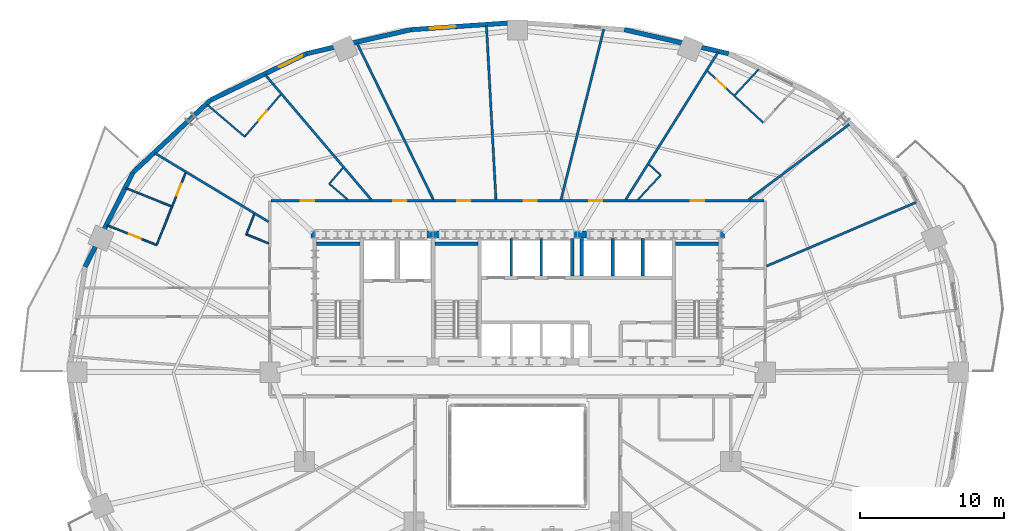
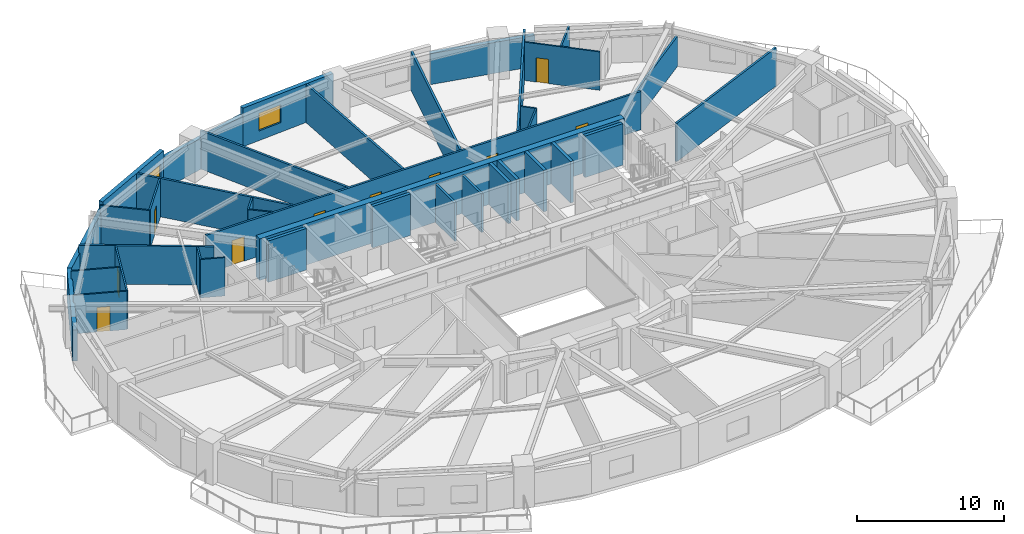
# One storey, part 12 of 17: 38 walls, 10 doors, 2 windows, 12 openings.
"""IFC4 building model written with IfcOpenShell, lengths in metres."""

from ifc_helpers import new_model, si_unit, direction, frame, frame_2d, origin, place, context, subcontext, project, spatial, rectangle, extrude, material, layer, layer_set, type_object, element, fill, save


model = new_model("IFC4")

# Units and contexts
model_context = context("Model", 3, precision=1e-05, world=origin(), true_north=direction((0.0, 1.0)))
body_context = subcontext(model_context, "Body", "Model", "MODEL_VIEW")
ifc_project = project(units=[si_unit("LENGTHUNIT", "METRE"), si_unit("AREAUNIT", "SQUARE_METRE"), si_unit("VOLUMEUNIT", "CUBIC_METRE"), si_unit("PLANEANGLEUNIT", "RADIAN"), si_unit("MASSUNIT", "GRAM", prefix="KILO")], contexts=[model_context])

# Site, building, storey
site_placement = place(None, origin())
site = spatial("IfcSite", under=ifc_project, at=site_placement, CompositionType="ELEMENT")
building_placement = place(site_placement, origin())
building = spatial("IfcBuilding", under=site, at=building_placement, Name="Haldorwick Loom Tower", CompositionType="ELEMENT")
storey_placement = place(building_placement, frame((0.0, 0.0, 37.800048828125)))
storey = spatial("IfcBuildingStorey", under=building, at=storey_placement, Name="L09", CompositionType="ELEMENT", Elevation=37.800048828125)

# Wall
ifc_material_1 = material(Name="Pressed Clay Face Brick and Insulated Masonry Backup Assembly", Category="masonry")
ifc_layer_1 = layer(ifc_material_1, 0.320068359375, Name="Pressed Clay Face Brick and Insulated Masonry Backup Assembly", Category="masonry")
ifc_layer_set_1 = layer_set([ifc_layer_1], Name="Pressed Clay Face Brick and Insulated Masonry Backup Assembly")
wall_type_1 = type_object("IfcWallType", Name="ARC-WL-EXT320", PredefinedType="STANDARD", material=ifc_layer_set_1)
wall_1_placement = place(storey_placement, frame((50.644775390625, 48.11572265625, 0.0), z_axis=(0.0, 0.0, 1.0), x_axis=(-0.974522412345, 0.224290142088, 0.0)))
element("IfcWall", 1, at=wall_1_placement, inside=storey, type_object=wall_type_1, Name="L09 Brick Pier and Spandrel Wall 5", PredefinedType="STANDARD", context=body_context, shape_type="SweptSolid", body=[
    extrude(rectangle(XDim=7.422607421875, YDim=0.320068359375, at=frame_2d((3.71142578125, 0.0))), origin(), (0.0, 0.0, 1.0), 2.56884765625),
])

# Wall, opening, window
wall_2_placement = place(storey_placement, frame((36.0, 50.2900390625, 0.0), z_axis=(0.0, 0.0, 1.0), x_axis=(-0.997645161917, -0.068586667092, 0.0)))
wall_2 = element("IfcWall", 2, at=wall_2_placement, inside=storey, type_object=wall_type_1, Name="L09 Brick Pier and Spandrel Wall 7", PredefinedType="STANDARD", context=body_context, shape_type="SweptSolid", body=[
    extrude(rectangle(XDim=7.428955078125, YDim=0.320068359375, at=frame_2d((3.71435546875, 0.0))), origin(), (0.0, 0.0, 1.0), 3.2099609375),
])
opening_1_placement = place(wall_2_placement, frame((4.30029296875, 0.0, 0.800048828125)))
opening_1 = element("IfcOpeningElement", 3, at=opening_1_placement, cuts=wall_2, Name="Opening W-01", PredefinedType="OPENING", context=body_context, shape_type="SweptSolid", body=[
    extrude(rectangle(XDim=1.800048828125, YDim=1.47998046875, at=frame_2d((0.89990234375, 0.739990234375))), frame((0.0, 0.169921875, 0.0), z_axis=(0.0, -1.0, 0.0), x_axis=(1.0, 0.0, 0.0)), (0.0, 0.0, 1.0), 0.340087890625),
])
ifc_material_2 = material(Name="Triple-Glazed Low-E Argon Insulated Glazing Unit", Category="glass")
window_type = type_object("IfcWindowType", Name="ARC-WIN-W180", PartitioningType="SINGLE_PANEL", PredefinedType="WINDOW", material=ifc_material_2)
window_1_placement = place(opening_1_placement, origin())
window_1 = element("IfcWindow", 4, at=window_1_placement, inside=storey, type_object=window_type, Name="L09 Deep-Set Zone 7A Window 7", OverallHeight=1.47998046875, OverallWidth=1.800048828125, PartitioningType="SINGLE_PANEL", PredefinedType="WINDOW", context=body_context, shape_type="SweptSolid", body=[
    extrude(rectangle(XDim=1.800048828125, YDim=1.47998046875, at=frame_2d((0.89990234375, 0.739990234375))), frame((0.0, 0.030029296875, 0.0), z_axis=(0.0, -1.0, 0.0), x_axis=(1.0, 0.0, 0.0)), (0.0, 0.0, 1.0), 0.06005859375),
])
fill(opening_1, window_1)

# Wall
wall_3_placement = place(storey_placement, frame((28.588623046875, 49.780517578125, 0.0), z_axis=(0.0, 0.0, 1.0), x_axis=(-0.974522412345, -0.224290142088, 0.0)))
element("IfcWall", 5, at=wall_3_placement, inside=storey, type_object=wall_type_1, Name="L09 Brick Pier and Spandrel Wall 8", PredefinedType="STANDARD", context=body_context, shape_type="SweptSolid", body=[
    extrude(rectangle(XDim=7.422607421875, YDim=0.320068359375, at=frame_2d((3.71142578125, 0.0))), origin(), (0.0, 0.0, 1.0), 2.56884765625),
])

# Wall, opening, window
wall_4_placement = place(storey_placement, frame((21.355224609375, 48.11572265625, 0.0), z_axis=(0.0, 0.0, 1.0), x_axis=(-0.900295710431, -0.435278800057, 0.0)))
wall_4 = element("IfcWall", 6, at=wall_4_placement, inside=storey, type_object=wall_type_1, Name="L09 Brick Pier and Spandrel Wall 9", PredefinedType="STANDARD", context=body_context, shape_type="SweptSolid", body=[
    extrude(rectangle(XDim=7.39697265625, YDim=0.320068359375, at=frame_2d((3.698486328125, 0.0))), origin(), (0.0, 0.0, 1.0), 3.2099609375),
])
opening_2_placement = place(wall_4_placement, frame((0.340087890625, 0.0, 0.800048828125)))
opening_2 = element("IfcOpeningElement", 7, at=opening_2_placement, cuts=wall_4, Name="Opening W-01", PredefinedType="OPENING", context=body_context, shape_type="SweptSolid", body=[
    extrude(rectangle(XDim=1.800048828125, YDim=1.47998046875, at=frame_2d((0.89990234375, 0.739990234375))), frame((0.0, 0.169921875, 0.0), z_axis=(0.0, -1.0, 0.0), x_axis=(1.0, 0.0, 0.0)), (0.0, 0.0, 1.0), 0.340087890625),
])
window_2_placement = place(opening_2_placement, origin())
window_2 = element("IfcWindow", 8, at=window_2_placement, inside=storey, type_object=window_type, Name="L09 Deep-Set Zone 7A Window 9", OverallHeight=1.47998046875, OverallWidth=1.800048828125, PartitioningType="SINGLE_PANEL", PredefinedType="WINDOW", context=body_context, shape_type="SweptSolid", body=[
    extrude(rectangle(XDim=1.800048828125, YDim=1.47998046875, at=frame_2d((0.89990234375, 0.739990234375))), frame((0.0, 0.030029296875, 0.0), z_axis=(0.0, -1.0, 0.0), x_axis=(1.0, 0.0, 0.0)), (0.0, 0.0, 1.0), 0.06005859375),
])
fill(opening_2, window_2)

# Walls
for number, where, z_axis, x_axis, name in (
    (9, (14.69580078125, 44.89599609375, 0.0), (0.0, 0.0, 1.0), (-0.73176101237, -0.681561311091, 0.0), "L09 Brick Pier and Spandrel Wall 10"),
    (10, (9.311279296875, 39.880859375, 0.0), (0.0, 0.0, 1.0), (-0.452950855928, -0.891535485617, 0.0), "L09 Brick Pier and Spandrel Wall 11"),
):
    element("IfcWall", number, at=place(storey_placement, frame(where, z_axis=z_axis, x_axis=x_axis)), inside=storey, type_object=wall_type_1, Name=name, PredefinedType="STANDARD", context=body_context, shape_type="SweptSolid", body=[
        extrude(rectangle(XDim=7.3583984375, YDim=0.320068359375, at=frame_2d((3.67919921875, 0.0))), origin(), (0.0, 0.0, 1.0), 2.56884765625),
    ])

# Wall, openings, doors
ifc_material_3 = material(Name="Fire-Rated Type X Gypsum Stud Assembly EI 60")
ifc_layer_2 = layer(ifc_material_3, 0.159912109375, Name="Fire-Rated Type X Gypsum Stud Assembly EI 60")
ifc_layer_set_2 = layer_set([ifc_layer_2], Name="Fire-Rated Type X Gypsum Stud Assembly EI 60")
wall_type_2 = type_object("IfcWallType", Name="ARC-WL-FIRE160", PredefinedType="PARTITIONING", material=ifc_layer_set_2)
wall_5_placement = place(storey_placement, frame((18.883056640625, 37.89990234375, 0.0), z_axis=(0.0, 0.0, 1.0), x_axis=(1.0, 0.0, 0.0)))
wall_5 = element("IfcWall", 11, at=wall_5_placement, inside=storey, type_object=wall_type_2, Name="L09 Residential Fire Partition L09-CR-N0", PredefinedType="PARTITIONING", context=body_context, shape_type="SweptSolid", body=[
    extrude(rectangle(XDim=34.23388671875, YDim=0.159912109375, at=frame_2d((17.116943359375, 0.0))), origin(), (0.0, 0.0, 1.0), 3.195068359375),
])
opening_3_placement = place(wall_5_placement, frame((29.120849609375, 0.0, 0.0)))
opening_3 = element("IfcOpeningElement", 12, at=opening_3_placement, cuts=wall_5, Name="Opening D-FL95", PredefinedType="OPENING", context=body_context, shape_type="SweptSolid", body=[
    extrude(rectangle(XDim=0.949951171875, YDim=2.0400390625, at=frame_2d((0.47509765625, 1.02001953125))), frame((0.0, 0.08984375, 0.0), z_axis=(0.0, -1.0, 0.0), x_axis=(1.0, 0.0, 0.0)), (0.0, 0.0, 1.0), 0.179931640625),
])
opening_4_placement = place(wall_5_placement, frame((2.06494140625, 0.0, 0.0)))
opening_4 = element("IfcOpeningElement", 13, at=opening_4_placement, cuts=wall_5, Name="Opening D-FL95", PredefinedType="OPENING", context=body_context, shape_type="SweptSolid", body=[
    extrude(rectangle(XDim=0.949951171875, YDim=2.0400390625, at=frame_2d((0.47509765625, 1.02001953125))), frame((0.0, 0.08984375, 0.0), z_axis=(0.0, -1.0, 0.0), x_axis=(1.0, 0.0, 0.0)), (0.0, 0.0, 1.0), 0.179931640625),
])
opening_5_placement = place(wall_5_placement, frame((22.078125, 0.0, 0.0)))
opening_5 = element("IfcOpeningElement", 14, at=opening_5_placement, cuts=wall_5, Name="Opening D-FD60A", PredefinedType="OPENING", context=body_context, shape_type="SweptSolid", body=[
    extrude(rectangle(XDim=0.89990234375, YDim=2.0, at=frame_2d((0.449951171875, 1.0))), frame((0.0, 0.08984375, 0.0), z_axis=(0.0, -1.0, 0.0), x_axis=(1.0, 0.0, 0.0)), (0.0, 0.0, 1.0), 0.179931640625),
])
opening_6_placement = place(wall_5_placement, frame((17.550537109375, 0.0, 0.0)))
opening_6 = element("IfcOpeningElement", 15, at=opening_6_placement, cuts=wall_5, Name="Opening D-FD60A", PredefinedType="OPENING", context=body_context, shape_type="SweptSolid", body=[
    extrude(rectangle(XDim=0.89990234375, YDim=2.0, at=frame_2d((0.449951171875, 1.0))), frame((0.0, 0.08984375, 0.0), z_axis=(0.0, -1.0, 0.0), x_axis=(1.0, 0.0, 0.0)), (0.0, 0.0, 1.0), 0.179931640625),
])
opening_7_placement = place(wall_5_placement, frame((8.4951171875, 0.0, 0.0)))
opening_7 = element("IfcOpeningElement", 16, at=opening_7_placement, cuts=wall_5, Name="Opening D-FD60A", PredefinedType="OPENING", context=body_context, shape_type="SweptSolid", body=[
    extrude(rectangle(XDim=0.89990234375, YDim=2.0, at=frame_2d((0.449951171875, 1.0))), frame((0.0, 0.08984375, 0.0), z_axis=(0.0, -1.0, 0.0), x_axis=(1.0, 0.0, 0.0)), (0.0, 0.0, 1.0), 0.179931640625),
])
opening_8_placement = place(wall_5_placement, frame((12.912353515625, 0.0, 0.0)))
opening_8 = element("IfcOpeningElement", 17, at=opening_8_placement, cuts=wall_5, Name="Opening D-FD60A", PredefinedType="OPENING", context=body_context, shape_type="SweptSolid", body=[
    extrude(rectangle(XDim=0.89990234375, YDim=2.0, at=frame_2d((0.449951171875, 1.0))), frame((0.0, 0.08984375, 0.0), z_axis=(0.0, -1.0, 0.0), x_axis=(1.0, 0.0, 0.0)), (0.0, 0.0, 1.0), 0.179931640625),
])
ifc_material_4 = material(Name="Hollow Steel Fire Door Assembly", Category="steel")
door_type_1 = type_object("IfcDoorType", Name="ARC-DR-FD60-90", OperationType="NOTDEFINED", PredefinedType="DOOR", material=ifc_material_4)
door_1_placement = place(opening_5_placement, frame((0.89990234375, 0.0, 0.0), z_axis=(0.0, 0.0, 1.0), x_axis=(-1.0, 0.0, 0.0)))
door_1 = element("IfcDoor", 18, at=door_1_placement, inside=storey, type_object=door_type_1, Name="L09 Shared Resident Dining Hall 11 to L09 North Residential Corridor Doo", OperationType="SINGLE_SWING_LEFT", OverallHeight=2.0, OverallWidth=0.89990234375, PredefinedType="DOOR", context=body_context, shape_type="SweptSolid", body=[
    extrude(rectangle(XDim=0.89990234375, YDim=2.0, at=frame_2d((0.449951171875, 1.0))), frame((0.0, 0.02490234375, 0.0), z_axis=(0.0, -1.0, 0.0), x_axis=(1.0, 0.0, 0.0)), (0.0, 0.0, 1.0), 0.050048828125),
])
fill(opening_5, door_1)
door_2_placement = place(opening_6_placement, frame((0.89990234375, 0.0, 0.0), z_axis=(0.0, 0.0, 1.0), x_axis=(-1.0, 0.0, 0.0)))
door_2 = element("IfcDoor", 19, at=door_2_placement, inside=storey, type_object=door_type_1, Name="L09 Shared Resident Dining Hall 12 to L09 North Residential Corridor Doo", OperationType="SINGLE_SWING_RIGHT", OverallHeight=2.0, OverallWidth=0.89990234375, PredefinedType="DOOR", context=body_context, shape_type="SweptSolid", body=[
    extrude(rectangle(XDim=0.89990234375, YDim=2.0, at=frame_2d((0.449951171875, 1.0))), frame((0.0, 0.02490234375, 0.0), z_axis=(0.0, -1.0, 0.0), x_axis=(1.0, 0.0, 0.0)), (0.0, 0.0, 1.0), 0.050048828125),
])
fill(opening_6, door_2)
door_3_placement = place(opening_7_placement, frame((0.89990234375, 0.0, 0.0), z_axis=(0.0, 0.0, 1.0), x_axis=(-1.0, 0.0, 0.0)))
door_3 = element("IfcDoor", 20, at=door_3_placement, inside=storey, type_object=door_type_1, Name="L09 Shared Resident Dining Hall 13 to L09 North Residential Corridor Doo", OperationType="SINGLE_SWING_LEFT", OverallHeight=2.0, OverallWidth=0.89990234375, PredefinedType="DOOR", context=body_context, shape_type="SweptSolid", body=[
    extrude(rectangle(XDim=0.89990234375, YDim=2.0, at=frame_2d((0.449951171875, 1.0))), frame((0.0, 0.02490234375, 0.0), z_axis=(0.0, -1.0, 0.0), x_axis=(1.0, 0.0, 0.0)), (0.0, 0.0, 1.0), 0.050048828125),
])
fill(opening_7, door_3)
door_4_placement = place(opening_8_placement, frame((0.89990234375, 0.0, 0.0), z_axis=(0.0, 0.0, 1.0), x_axis=(-1.0, 0.0, 0.0)))
door_4 = element("IfcDoor", 21, at=door_4_placement, inside=storey, type_object=door_type_1, Name="L09 Shared Resident Dining Hall 14 to L09 North Residential Corridor Doo", OperationType="SINGLE_SWING_RIGHT", OverallHeight=2.0, OverallWidth=0.89990234375, PredefinedType="DOOR", context=body_context, shape_type="SweptSolid", body=[
    extrude(rectangle(XDim=0.89990234375, YDim=2.0, at=frame_2d((0.449951171875, 1.0))), frame((0.0, 0.02490234375, 0.0), z_axis=(0.0, -1.0, 0.0), x_axis=(1.0, 0.0, 0.0)), (0.0, 0.0, 1.0), 0.050048828125),
])
fill(opening_8, door_4)
ifc_material_5 = material(Name="Solid Core Birch Architectural Door")
door_type_2 = type_object("IfcDoorType", Name="ARC-DR-FLAT95", OperationType="NOTDEFINED", PredefinedType="DOOR", material=ifc_material_5)
door_5_placement = place(opening_3_placement, frame((0.949951171875, 0.0, 0.0), z_axis=(0.0, 0.0, 1.0), x_axis=(-1.0, 0.0, 0.0)))
door_5 = element("IfcDoor", 22, at=door_5_placement, inside=storey, type_object=door_type_2, Name="L09 Unit 09E Kitchen and Living Room to L09 North Residential Corridor D", OperationType="SINGLE_SWING_RIGHT", OverallHeight=2.0400390625, OverallWidth=0.949951171875, PredefinedType="DOOR", context=body_context, shape_type="SweptSolid", body=[
    extrude(rectangle(XDim=0.949951171875, YDim=2.0400390625, at=frame_2d((0.47509765625, 1.02001953125))), frame((0.0, 0.02490234375, 0.0), z_axis=(0.0, -1.0, 0.0), x_axis=(1.0, 0.0, 0.0)), (0.0, 0.0, 1.0), 0.050048828125),
])
fill(opening_3, door_5)
door_6_placement = place(opening_4_placement, frame((0.949951171875, 0.0, 0.0), z_axis=(0.0, 0.0, 1.0), x_axis=(-1.0, 0.0, 0.0)))
door_6 = element("IfcDoor", 23, at=door_6_placement, inside=storey, type_object=door_type_2, Name="L09 Unit 09F Kitchen and Studio Living Room to L09 North Residential Cor", OperationType="SINGLE_SWING_RIGHT", OverallHeight=2.0400390625, OverallWidth=0.949951171875, PredefinedType="DOOR", context=body_context, shape_type="SweptSolid", body=[
    extrude(rectangle(XDim=0.949951171875, YDim=2.0400390625, at=frame_2d((0.47509765625, 1.02001953125))), frame((0.0, 0.02490234375, 0.0), z_axis=(0.0, -1.0, 0.0), x_axis=(1.0, 0.0, 0.0)), (0.0, 0.0, 1.0), 0.050048828125),
])
fill(opening_4, door_6)

# Walls
wall_6_placement = place(storey_placement, frame((34.49560546875, 37.98291015625, 0.0), z_axis=(0.0, 0.0, 1.0), x_axis=(-0.054528808972, 0.998512197718, 0.0)))
element("IfcWall", 24, at=wall_6_placement, inside=storey, type_object=wall_type_2, Name="L09 Residential Fire Partition L09-UPN-11", PredefinedType="PARTITIONING", context=body_context, shape_type="SweptSolid", body=[
    extrude(rectangle(XDim=12.111083984375, YDim=0.159912109375, at=frame_2d((6.0556640625, 0.0))), origin(), (0.0, 0.0, 1.0), 3.195068359375),
])
wall_7_placement = place(storey_placement, frame((52.037109375, 37.98291015625, 0.0), z_axis=(0.0, 0.0, 1.0), x_axis=(0.801076774435, 0.598561610413, 0.0)))
element("IfcWall", 25, at=wall_7_placement, inside=storey, type_object=wall_type_2, Name="L09 Suite Split Wall", PredefinedType="PARTITIONING", context=body_context, shape_type="SweptSolid", body=[
    extrude(rectangle(XDim=8.723388671875, YDim=0.159912109375, at=frame_2d((4.36181640625, 0.0))), origin(), (0.0, 0.0, 1.0), 2.489990234375),
])
wall_8_placement = place(storey_placement, frame((18.717041015625, 36.43798828125, 0.0), z_axis=(0.0, 0.0, 1.0), x_axis=(-0.856005402243, 0.516966876435, 0.0)))
element("IfcWall", 26, at=wall_8_placement, inside=storey, type_object=wall_type_2, Name="L09 Suite Split Wall", PredefinedType="PARTITIONING", context=body_context, shape_type="SweptSolid", body=[
    extrude(rectangle(XDim=9.218017578125, YDim=0.159912109375, at=frame_2d((4.60888671875, 0.0))), origin(), (0.0, 0.0, 1.0), 3.195068359375),
])
wall_9_placement = place(storey_placement, frame((43.50732421875, 37.98291015625, 0.0), z_axis=(0.0, 0.0, 1.0), x_axis=(0.530907280122, 0.847429914455, 0.0)))
element("IfcWall", 27, at=wall_9_placement, inside=storey, type_object=wall_type_2, Name="L09 Suite Split Wall", PredefinedType="PARTITIONING", context=body_context, shape_type="SweptSolid", body=[
    extrude(rectangle(XDim=12.07568359375, YDim=0.159912109375, at=frame_2d((6.037841796875, 0.0))), origin(), (0.0, 0.0, 1.0), 3.195068359375),
])
wall_10_placement = place(storey_placement, frame((25.830810546875, 37.98291015625, 0.0), z_axis=(0.0, 0.0, 1.0), x_axis=(-0.647044794707, 0.762451987762, 0.0)))
element("IfcWall", 28, at=wall_10_placement, inside=storey, type_object=wall_type_2, Name="L09 Suite Split Wall", PredefinedType="PARTITIONING", context=body_context, shape_type="SweptSolid", body=[
    extrude(rectangle(XDim=11.36865234375, YDim=0.159912109375, at=frame_2d((5.684326171875, 0.0))), origin(), (0.0, 0.0, 1.0), 3.195068359375),
])
wall_11_placement = place(storey_placement, frame((53.282958984375, 33.3671875, 0.0), z_axis=(0.0, 0.0, 1.0), x_axis=(0.919911251581, 0.392126623956, 0.0)))
element("IfcWall", 29, at=wall_11_placement, inside=storey, type_object=wall_type_2, Name="L09 Suite Split Wall", PredefinedType="PARTITIONING", context=body_context, shape_type="SweptSolid", body=[
    extrude(rectangle(XDim=11.296630859375, YDim=0.159912109375, at=frame_2d((5.6484375, 0.0))), origin(), (0.0, 0.0, 1.0), 3.195068359375),
])
wall_12_placement = place(storey_placement, frame((39.0107421875, 37.98291015625, 0.0), z_axis=(0.0, 0.0, 1.0), x_axis=(0.243675100146, 0.969856920153, 0.0)))
element("IfcWall", 30, at=wall_12_placement, inside=storey, type_object=wall_type_2, Name="L09 Suite Split Wall", PredefinedType="PARTITIONING", context=body_context, shape_type="SweptSolid", body=[
    extrude(rectangle(XDim=12.1982421875, YDim=0.159912109375, at=frame_2d((6.09912109375, 0.0))), origin(), (0.0, 0.0, 1.0), 3.195068359375),
])
wall_13_placement = place(storey_placement, frame((30.150390625, 37.98291015625, 0.0), z_axis=(0.0, 0.0, 1.0), x_axis=(-0.438667003558, 0.898649687024, 0.0)))
element("IfcWall", 31, at=wall_13_placement, inside=storey, type_object=wall_type_2, Name="L09 Suite Split Wall", PredefinedType="PARTITIONING", context=body_context, shape_type="SweptSolid", body=[
    extrude(rectangle(XDim=12.094970703125, YDim=0.159912109375, at=frame_2d((6.04736328125, 0.0))), origin(), (0.0, 0.0, 1.0), 3.195068359375),
])
ifc_material_6 = material(Name="Acoustic Gypsum Stud Assembly STC 55")
ifc_layer_3 = layer(ifc_material_6, 0.1201171875, Name="Acoustic Gypsum Stud Assembly STC 55")
ifc_layer_set_3 = layer_set([ifc_layer_3], Name="Acoustic Gypsum Stud Assembly STC 55")
wall_type_3 = type_object("IfcWallType", Name="ARC-WL-PART120", PredefinedType="PARTITIONING", material=ifc_layer_set_3)
wall_14_placement = place(storey_placement, frame((17.712646484375, 36.947509765625, 0.0), z_axis=(0.0, 0.0, 1.0), x_axis=(-0.372154077174, -0.928170966386, 0.0)))
element("IfcWall", 32, at=wall_14_placement, inside=storey, type_object=wall_type_3, Name="L09 Unit 09A Interior Partition", PredefinedType="PARTITIONING", context=body_context, shape_type="SweptSolid", body=[
    extrude(rectangle(XDim=1.488525390625, YDim=0.1201171875, at=frame_2d((0.744140625, 0.0))), origin(), (0.0, 0.0, 1.0), 3.195068359375),
])
wall_15_placement = place(storey_placement, frame((18.717041015625, 34.94140625, 0.0), z_axis=(0.0, 0.0, 1.0), x_axis=(-0.928235795544, 0.371992349209, 0.0)))
element("IfcWall", 33, at=wall_15_placement, inside=storey, type_object=wall_type_3, Name="L09 Unit 09A Interior Partition", PredefinedType="PARTITIONING", context=body_context, shape_type="SweptSolid", body=[
    extrude(rectangle(XDim=1.6787109375, YDim=0.1201171875, at=frame_2d((0.83935546875, 0.0))), origin(), (0.0, 0.0, 1.0), 3.195068359375),
])

# Wall, opening, door
wall_16_placement = place(storey_placement, frame((12.94580078125, 39.826416015625, 0.0), z_axis=(0.0, 0.0, 1.0), x_axis=(-0.372093671099, -0.928195184176, 0.0)))
wall_16 = element("IfcWall", 34, at=wall_16_placement, inside=storey, type_object=wall_type_3, Name="L09 Unit 09A Interior Partition", PredefinedType="PARTITIONING", context=body_context, shape_type="SweptSolid", body=[
    extrude(rectangle(XDim=5.38818359375, YDim=0.1201171875, at=frame_2d((2.694091796875, 0.0))), origin(), (0.0, 0.0, 1.0), 3.195068359375),
])
opening_9_placement = place(wall_16_placement, frame((0.794677734375, 0.0, 0.0)))
opening_9 = element("IfcOpeningElement", 35, at=opening_9_placement, cuts=wall_16, Name="Opening D-BT88", PredefinedType="OPENING", context=body_context, shape_type="SweptSolid", body=[
    extrude(rectangle(XDim=0.8798828125, YDim=2.02001953125, at=frame_2d((0.43994140625, 1.010009765625))), frame((0.0, 0.070068359375, 0.0), z_axis=(0.0, -1.0, 0.0), x_axis=(1.0, 0.0, 0.0)), (0.0, 0.0, 1.0), 0.14013671875),
])
door_type_3 = type_object("IfcDoorType", Name="ARC-DR-BATH88", OperationType="NOTDEFINED", PredefinedType="DOOR", material=ifc_material_5)
door_7_placement = place(opening_9_placement, origin())
door_7 = element("IfcDoor", 36, at=door_7_placement, inside=storey, type_object=door_type_3, Name="L09 Unit 09A Kitchen and Living Room to Unit 09A Bathroom Door", OperationType="SINGLE_SWING_LEFT", OverallHeight=2.02001953125, OverallWidth=0.8798828125, PredefinedType="DOOR", context=body_context, shape_type="SweptSolid", body=[
    extrude(rectangle(XDim=0.8798828125, YDim=2.02001953125, at=frame_2d((0.43994140625, 1.010009765625))), frame((0.0, 0.02490234375, 0.0), z_axis=(0.0, -1.0, 0.0), x_axis=(1.0, 0.0, 0.0)), (0.0, 0.0, 1.0), 0.050048828125),
])
fill(opening_9, door_7)

wall_17_placement = place(storey_placement, frame((10.94091796875, 34.8251953125, 0.0), z_axis=(0.0, 0.0, 1.0), x_axis=(-0.928184566742, 0.372120155409, 0.0)))
wall_17 = element("IfcWall", 37, at=wall_17_placement, inside=storey, type_object=wall_type_3, Name="L09 Unit 09A Interior Partition", PredefinedType="PARTITIONING", context=body_context, shape_type="SweptSolid", body=[
    extrude(rectangle(XDim=3.6923828125, YDim=0.1201171875, at=frame_2d((1.84619140625, 0.0))), origin(), (0.0, 0.0, 1.0), 3.195068359375),
])
opening_10_placement = place(wall_17_placement, frame((1.18505859375, 0.0, 0.0)))
opening_10 = element("IfcOpeningElement", 38, at=opening_10_placement, cuts=wall_17, Name="Opening D-IN90", PredefinedType="OPENING", context=body_context, shape_type="SweptSolid", body=[
    extrude(rectangle(XDim=0.89990234375, YDim=2.0400390625, at=frame_2d((0.449951171875, 1.02001953125))), frame((0.0, 0.070068359375, 0.0), z_axis=(0.0, -1.0, 0.0), x_axis=(1.0, 0.0, 0.0)), (0.0, 0.0, 1.0), 0.14013671875),
])
door_type_4 = type_object("IfcDoorType", Name="ARC-DR-INT90", OperationType="NOTDEFINED", PredefinedType="DOOR", material=ifc_material_5)
door_8_placement = place(opening_10_placement, origin())
door_8 = element("IfcDoor", 39, at=door_8_placement, inside=storey, type_object=door_type_4, Name="L09 Unit 09A Kitchen and Living Room to Unit 09A Bedroom 1 Door", OperationType="SINGLE_SWING_LEFT", OverallHeight=2.0400390625, OverallWidth=0.89990234375, PredefinedType="DOOR", context=body_context, shape_type="SweptSolid", body=[
    extrude(rectangle(XDim=0.89990234375, YDim=2.0400390625, at=frame_2d((0.449951171875, 1.02001953125))), frame((0.0, 0.02490234375, 0.0), z_axis=(0.0, -1.0, 0.0), x_axis=(1.0, 0.0, 0.0)), (0.0, 0.0, 1.0), 0.050048828125),
])
fill(opening_10, door_8)

# Walls
wall_18_placement = place(storey_placement, frame((11.952392578125, 37.517822265625, 0.0), z_axis=(0.0, 0.0, 1.0), x_axis=(-0.928201913578, 0.372076884031, 0.0)))
element("IfcWall", 40, at=wall_18_placement, inside=storey, type_object=wall_type_3, Name="L09 Unit 09A Interior Partition", PredefinedType="PARTITIONING", context=body_context, shape_type="SweptSolid", body=[
    extrude(rectangle(XDim=3.373291015625, YDim=0.1201171875, at=frame_2d((1.6865234375, 0.0))), origin(), (0.0, 0.0, 1.0), 3.195068359375),
])
wall_19_placement = place(storey_placement, frame((45.9296875, 39.677490234375, 0.0), z_axis=(0.0, 0.0, 1.0), x_axis=(-0.733711003492, 0.679461671734, 0.0)))
element("IfcWall", 41, at=wall_19_placement, inside=storey, type_object=wall_type_3, Name="L09 Unit 09E Interior Partition", PredefinedType="PARTITIONING", context=body_context, shape_type="SweptSolid", body=[
    extrude(rectangle(XDim=1.089111328125, YDim=0.1201171875, at=frame_2d((0.54443359375, 0.0))), origin(), (0.0, 0.0, 1.0), 3.195068359375),
])
wall_20_placement = place(storey_placement, frame((44.360107421875, 37.98291015625, 0.0), z_axis=(0.0, 0.0, 1.0), x_axis=(0.679530269144, 0.733647472099, 0.0)))
element("IfcWall", 42, at=wall_20_placement, inside=storey, type_object=wall_type_3, Name="L09 Unit 09E Interior Partition", PredefinedType="PARTITIONING", context=body_context, shape_type="SweptSolid", body=[
    extrude(rectangle(XDim=2.309814453125, YDim=0.1201171875, at=frame_2d((1.15478515625, 0.0))), origin(), (0.0, 0.0, 1.0), 3.195068359375),
])

# Wall, opening, door
wall_21_placement = place(storey_placement, frame((53.0537109375, 43.319580078125, 0.0), z_axis=(0.0, 0.0, 1.0), x_axis=(-0.733664788314, 0.679511573403, 0.0)))
wall_21 = element("IfcWall", 43, at=wall_21_placement, inside=storey, type_object=wall_type_3, Name="L09 Unit 09E Interior Partition", PredefinedType="PARTITIONING", context=body_context, shape_type="SweptSolid", body=[
    extrude(rectangle(XDim=5.265625, YDim=0.1201171875, at=frame_2d((2.6328125, 0.0))), origin(), (0.0, 0.0, 1.0), 3.195068359375),
])
opening_11_placement = place(wall_21_placement, frame((3.56640625, 0.0, 0.0)))
opening_11 = element("IfcOpeningElement", 44, at=opening_11_placement, cuts=wall_21, Name="Opening D-BT88", PredefinedType="OPENING", context=body_context, shape_type="SweptSolid", body=[
    extrude(rectangle(XDim=0.8798828125, YDim=2.02001953125, at=frame_2d((0.43994140625, 1.010009765625))), frame((0.0, 0.070068359375, 0.0), z_axis=(0.0, -1.0, 0.0), x_axis=(1.0, 0.0, 0.0)), (0.0, 0.0, 1.0), 0.14013671875),
])
door_9_placement = place(opening_11_placement, origin())
door_9 = element("IfcDoor", 45, at=door_9_placement, inside=storey, type_object=door_type_3, Name="L09 Unit 09E Kitchen and Living Room to Unit 09E Bathroom Door", OperationType="SINGLE_SWING_RIGHT", OverallHeight=2.02001953125, OverallWidth=0.8798828125, PredefinedType="DOOR", context=body_context, shape_type="SweptSolid", body=[
    extrude(rectangle(XDim=0.8798828125, YDim=2.02001953125, at=frame_2d((0.43994140625, 1.010009765625))), frame((0.0, 0.02490234375, 0.0), z_axis=(0.0, -1.0, 0.0), x_axis=(1.0, 0.0, 0.0)), (0.0, 0.0, 1.0), 0.050048828125),
])
fill(opening_11, door_9)

# Walls
wall_22_placement = place(storey_placement, frame((51.078369140625, 45.235107421875, 0.0), z_axis=(0.0, 0.0, 1.0), x_axis=(0.679547307906, 0.733631689827, 0.0)))
element("IfcWall", 46, at=wall_22_placement, inside=storey, type_object=wall_type_3, Name="L09 Unit 09E Interior Partition", PredefinedType="PARTITIONING", context=body_context, shape_type="SweptSolid", body=[
    extrude(rectangle(XDim=2.446533203125, YDim=0.1201171875, at=frame_2d((1.22314453125, 0.0))), origin(), (0.0, 0.0, 1.0), 3.195068359375),
])
wall_23_placement = place(storey_placement, frame((23.863525390625, 40.1728515625, 0.0), z_axis=(0.0, 0.0, 1.0), x_axis=(-0.648756643585, -0.760995937837, 0.0)))
element("IfcWall", 47, at=wall_23_placement, inside=storey, type_object=wall_type_3, Name="L09 Unit 09F Interior Partition", PredefinedType="PARTITIONING", context=body_context, shape_type="SweptSolid", body=[
    extrude(rectangle(XDim=1.4443359375, YDim=0.1201171875, at=frame_2d((0.72216796875, 0.0))), origin(), (0.0, 0.0, 1.0), 3.195068359375),
])
wall_24_placement = place(storey_placement, frame((24.20556640625, 37.98291015625, 0.0), z_axis=(0.0, 0.0, 1.0), x_axis=(-0.76087402222, 0.648899624218, 0.0)))
element("IfcWall", 48, at=wall_24_placement, inside=storey, type_object=wall_type_3, Name="L09 Unit 09F Interior Partition", PredefinedType="PARTITIONING", context=body_context, shape_type="SweptSolid", body=[
    extrude(rectangle(XDim=1.68115234375, YDim=0.1201171875, at=frame_2d((0.840576171875, 0.0))), origin(), (0.0, 0.0, 1.0), 3.195068359375),
])

# Wall, opening, door
wall_25_placement = place(storey_placement, frame((19.542236328125, 45.264892578125, 0.0), z_axis=(0.0, 0.0, 1.0), x_axis=(-0.6488641843, -0.76090424518, 0.0)))
wall_25 = element("IfcWall", 49, at=wall_25_placement, inside=storey, type_object=wall_type_3, Name="L09 Unit 09F Interior Partition", PredefinedType="PARTITIONING", context=body_context, shape_type="SweptSolid", body=[
    extrude(rectangle(XDim=3.8330078125, YDim=0.1201171875, at=frame_2d((1.91650390625, 0.0))), origin(), (0.0, 0.0, 1.0), 3.195068359375),
])
opening_12_placement = place(wall_25_placement, frame((1.476318359375, 0.0, 0.0)))
opening_12 = element("IfcOpeningElement", 50, at=opening_12_placement, cuts=wall_25, Name="Opening D-BT88", PredefinedType="OPENING", context=body_context, shape_type="SweptSolid", body=[
    extrude(rectangle(XDim=0.8798828125, YDim=2.02001953125, at=frame_2d((0.43994140625, 1.010009765625))), frame((0.0, 0.070068359375, 0.0), z_axis=(0.0, -1.0, 0.0), x_axis=(1.0, 0.0, 0.0)), (0.0, 0.0, 1.0), 0.14013671875),
])
door_10_placement = place(opening_12_placement, origin())
door_10 = element("IfcDoor", 51, at=door_10_placement, inside=storey, type_object=door_type_3, Name="L09 Unit 09F Kitchen and Studio Living Room to Unit 09F Bathroom Door", OperationType="SINGLE_SWING_RIGHT", OverallHeight=2.02001953125, OverallWidth=0.8798828125, PredefinedType="DOOR", context=body_context, shape_type="SweptSolid", body=[
    extrude(rectangle(XDim=0.8798828125, YDim=2.02001953125, at=frame_2d((0.43994140625, 1.010009765625))), frame((0.0, 0.02490234375, 0.0), z_axis=(0.0, -1.0, 0.0), x_axis=(1.0, 0.0, 0.0)), (0.0, 0.0, 1.0), 0.050048828125),
])
fill(opening_12, door_10)

# Walls
wall_26_placement = place(storey_placement, frame((17.05517578125, 42.348388671875, 0.0), z_axis=(0.0, 0.0, 1.0), x_axis=(-0.760867026056, 0.648907827554, 0.0)))
element("IfcWall", 52, at=wall_26_placement, inside=storey, type_object=wall_type_3, Name="L09 Unit 09F Interior Partition", PredefinedType="PARTITIONING", context=body_context, shape_type="SweptSolid", body=[
    extrude(rectangle(XDim=3.43017578125, YDim=0.1201171875, at=frame_2d((1.715087890625, 0.0))), origin(), (0.0, 0.0, 1.0), 3.195068359375),
])
ifc_material_7 = material(Name="Fire-Rated Type X Gypsum Stud Assembly EI 120")
ifc_layer_4 = layer(ifc_material_7, 0.1650390625, Name="Fire-Rated Type X Gypsum Stud Assembly EI 120")
ifc_layer_set_4 = layer_set([ifc_layer_4], Name="Fire-Rated Type X Gypsum Stud Assembly EI 120")
wall_type_4 = type_object("IfcWallType", Name="ARC-WL-SHAFT160", PredefinedType="MOVABLE", material=ifc_layer_set_4)
for number, where, z_axis, x_axis, name in (
    (53, (35.550048828125, 32.673095703125, 0.0), (0.0, 0.0, 1.0), (0.0, 1.0, 0.0), "L09 Low-Rise Hoistway Divider 1"),
    (54, (37.64990234375, 32.673095703125, 0.0), (0.0, 0.0, 1.0), (0.0, 1.0, 0.0), "L09 Low-Rise Hoistway Divider 2"),
):
    element("IfcWall", number, at=place(storey_placement, frame(where, z_axis=z_axis, x_axis=x_axis)), inside=storey, type_object=wall_type_4, Name=name, PredefinedType="MOVABLE", context=body_context, shape_type="SweptSolid", body=[
        extrude(rectangle(XDim=2.6240234375, YDim=0.159912109375, at=frame_2d((1.31201171875, 0.0))), origin(), (0.0, 0.0, 1.0), 3.195068359375),
    ])
ifc_material_8 = material(Name="Concrete C60 (60 MPa)", Category="concrete")
ifc_layer_5 = layer(ifc_material_8, 0.5, Name="Concrete C60 (60 MPa)", Category="concrete")
ifc_layer_set_5 = layer_set([ifc_layer_5], Name="Concrete C60 (60 MPa)")
wall_type_5 = type_object("IfcWallType", Name="STR-WL-CORE500", PredefinedType="SHEAR", material=ifc_layer_set_5)
wall_27_placement = place(storey_placement, frame((50.35009765625, 35.550048828125, 0.0), z_axis=(0.0, 0.0, 1.0), x_axis=(-1.0, 0.0, 0.0)))
element("IfcWall", 55, at=wall_27_placement, inside=storey, type_object=wall_type_5, Name="L09 Core Shear Wall N", PredefinedType="SHEAR", context=body_context, shape_type="SweptSolid", body=[
    extrude(rectangle(XDim=28.7001953125, YDim=0.5, at=frame_2d((14.35009765625, 0.0))), origin(), (0.0, 0.0, 1.0), 3.449951171875),
])
ifc_material_9 = material(Name="Concrete C50 (50 MPa)", Category="concrete")
ifc_layer_6 = layer(ifc_material_9, 0.239990234375, Name="Concrete C50 (50 MPa)", Category="concrete")
ifc_layer_set_6 = layer_set([ifc_layer_6], Name="Concrete C50 (50 MPa)")
wall_type_6 = type_object("IfcWallType", Name="STR-WL-SHAFT240", PredefinedType="SHEAR", material=ifc_layer_set_6)
for number, where, z_axis, x_axis, name in (
    (56, (22.052978515625, 34.919921875, 0.0), (0.0, 0.0, 1.0), (1.0, 0.0, 0.0), "L09 Core Shear Wall 1N"),
    (57, (30.2529296875, 34.919921875, 0.0), (0.0, 0.0, 1.0), (1.0, 0.0, 0.0), "L09 Core Shear Wall 3N"),
    (58, (46.952880859375, 34.919921875, 0.0), (0.0, 0.0, 1.0), (1.0, 0.0, 0.0), "L09 Core Shear Wall 4N"),
):
    element("IfcWall", number, at=place(storey_placement, frame(where, z_axis=z_axis, x_axis=x_axis)), inside=storey, type_object=wall_type_6, Name=name, PredefinedType="SHEAR", context=body_context, shape_type="SweptSolid", body=[
        extrude(rectangle(XDim=2.994140625, YDim=0.239990234375, at=frame_2d((1.4970703125, 0.0))), origin(), (0.0, 0.0, 1.0), 3.449951171875),
    ])
for number, where, z_axis, x_axis, name in (
    (59, (39.800048828125, 32.673095703125, 0.0), (0.0, 0.0, 1.0), (0.0, 1.0, 0.0), "L09 Core Shear Wall LHW"),
    (60, (40.449951171875, 32.673095703125, 0.0), (0.0, 0.0, 1.0), (0.0, 1.0, 0.0), "L09 Core Shear Wall H0"),
    (61, (42.60009765625, 32.673095703125, 0.0), (0.0, 0.0, 1.0), (0.0, 1.0, 0.0), "L09 Core Shear Wall H1"),
    (62, (44.699951171875, 32.673095703125, 0.0), (0.0, 0.0, 1.0), (0.0, 1.0, 0.0), "L09 Core Shear Wall H2"),
):
    element("IfcWall", number, at=place(storey_placement, frame(where, z_axis=z_axis, x_axis=x_axis)), inside=storey, type_object=wall_type_6, Name=name, PredefinedType="SHEAR", context=body_context, shape_type="SweptSolid", body=[
        extrude(rectangle(XDim=2.6240234375, YDim=0.239990234375, at=frame_2d((1.31201171875, 0.0))), origin(), (0.0, 0.0, 1.0), 3.449951171875),
    ])

save(model, "model.ifc")
